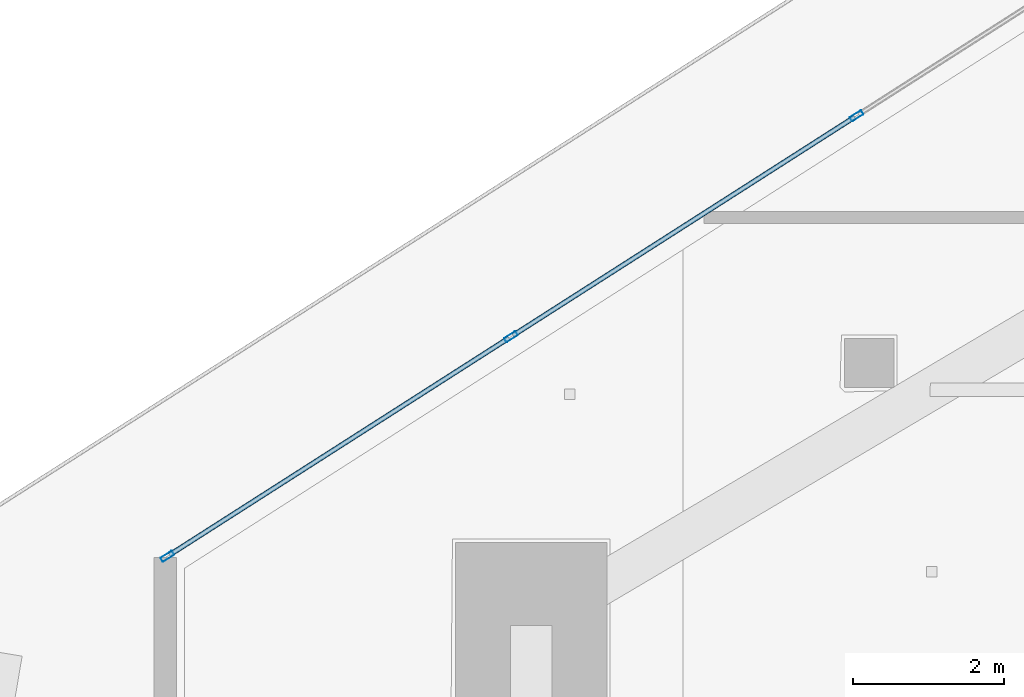
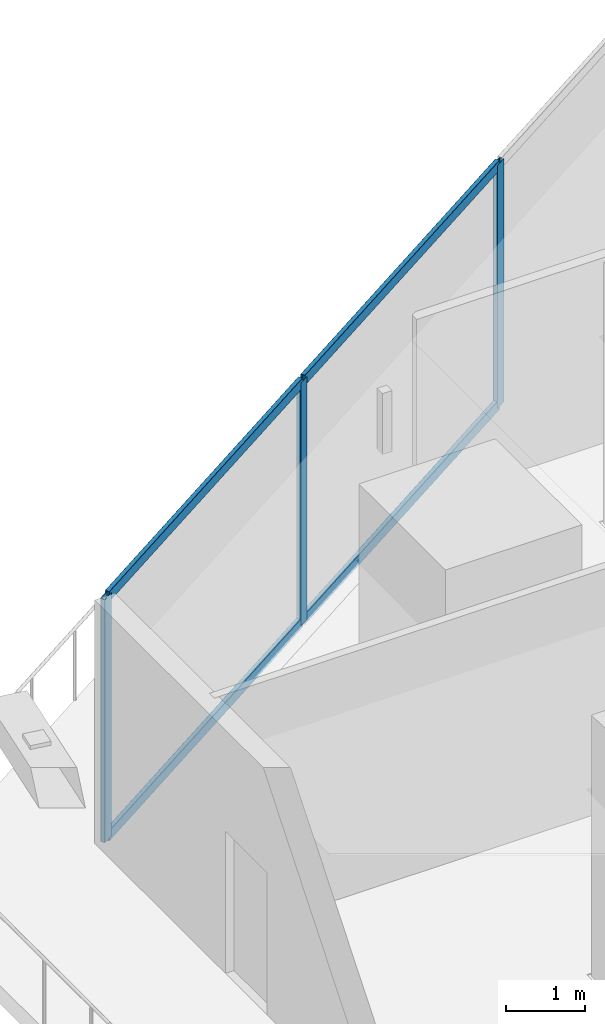
# One storey, part 13 of 42: 7 members, 1 element without a shape of its own.
"""IFC4 building model written with IfcOpenShell, lengths in metres."""

from ifc_helpers import new_model, si_unit, direction, frame, origin, origin_2d, place, context, subcontext, project, spatial, hollow_rectangle, extrude, material, layer, layer_set, material_profile, profile_set, type_object, element, aggregate, save


model = new_model("IFC4")

# Units and contexts
model_context = context("Model", 3, precision=1e-05, world=origin(), true_north=direction((0.0, 1.0)))
body_context = subcontext(model_context, "Body", "Model", "MODEL_VIEW")
ifc_project = project(units=[si_unit("LENGTHUNIT", "METRE"), si_unit("AREAUNIT", "SQUARE_METRE"), si_unit("VOLUMEUNIT", "CUBIC_METRE"), si_unit("PLANEANGLEUNIT", "RADIAN"), si_unit("MASSUNIT", "GRAM", prefix="KILO")], contexts=[model_context])

# Site, building, storey
site_placement = place(None, origin())
site = spatial("IfcSite", under=ifc_project, at=site_placement, CompositionType="ELEMENT")
building_placement = place(site_placement, origin())
building = spatial("IfcBuilding", under=site, at=building_placement, Name="Qorvath Tower", CompositionType="ELEMENT")
storey_placement = place(building_placement, frame((0.0, 0.0, 117.89990234375)))
storey = spatial("IfcBuildingStorey", under=building, at=storey_placement, Name="L26", CompositionType="ELEMENT", Elevation=117.89990234375)

# Curtain wall, members
ifc_material_1 = material(Name="Anodised aluminium and triple low-E glass", Category="aluminium")
ifc_layer = layer(ifc_material_1, 0.179931640625)
ifc_layer_set = layer_set([ifc_layer], Name="CW-SYS-2")
curtain_wall_type = type_object("IfcCurtainWallType", Name="CW-SYS-2", PredefinedType="NOTDEFINED", material=ifc_layer_set)
curtain_wall_placement = place(storey_placement, origin())
curtain_wall = element("IfcCurtainWall", 1, at=curtain_wall_placement, inside=storey, type_object=curtain_wall_type, Name="Curtain Wall CW-2 CW-T-L26-16.3", PredefinedType="NOTDEFINED")
ifc_material_2 = material(Name="Anodised aluminium 6063-T6", Category="aluminium")
ifc_material_profile_1 = material_profile(ifc_material_2, hollow_rectangle(XDim=0.06494140625, YDim=0.179931640625, WallThickness=0.00341796875, InnerFilletRadius=0.00341796875, OuterFilletRadius=0.007080078125, at=origin_2d()), Name="CWM 180x65")
ifc_profile_set_1 = profile_set([ifc_material_profile_1], Name="Anodised aluminium 6063-T6")
member_type_1 = type_object("IfcMemberType", Name="CWM-180", PredefinedType="MULLION", material=ifc_profile_set_1)
member_1_placement = place(storey_placement, frame((-48.7451171875, 9.69287109375, 0.0), z_axis=(0.0, 0.0, 1.0), x_axis=(0.538534177075, -0.842603667285, 0.0)))
member_1 = element("IfcMember", 2, at=member_1_placement, type_object=member_type_1, Name="CW-2 mullion 4", PredefinedType="MULLION", context=body_context, shape_type="SweptSolid", body=[
    extrude(hollow_rectangle(XDim=0.06494140625, YDim=0.179931640625, WallThickness=0.00341796875, InnerFilletRadius=0.00341796875, OuterFilletRadius=0.007080078125, at=origin_2d()), origin(), (0.0, 0.0, 1.0), 3.77001953125),
])
member_2_placement = place(storey_placement, frame((-53.317138671875, 6.770751953125, 0.0), z_axis=(0.0, 0.0, 1.0), x_axis=(0.538534177075, -0.842603667285, 0.0)))
member_2 = element("IfcMember", 3, at=member_2_placement, type_object=member_type_1, Name="CW-2 mullion 5", PredefinedType="MULLION", context=body_context, shape_type="SweptSolid", body=[
    extrude(hollow_rectangle(XDim=0.06494140625, YDim=0.179931640625, WallThickness=0.00341796875, InnerFilletRadius=0.00341796875, OuterFilletRadius=0.007080078125, at=origin_2d()), origin(), (0.0, 0.0, 1.0), 3.77001953125),
])
member_3_placement = place(storey_placement, frame((-57.86181640625, 3.8662109375, 0.0), z_axis=(0.0, 0.0, 1.0), x_axis=(0.538534177075, -0.842603667285, 0.0)))
member_3 = element("IfcMember", 4, at=member_3_placement, type_object=member_type_1, Name="CW-2 mullion 6", PredefinedType="MULLION", context=body_context, shape_type="SweptSolid", body=[
    extrude(hollow_rectangle(XDim=0.06494140625, YDim=0.179931640625, WallThickness=0.00341796875, InnerFilletRadius=0.00341796875, OuterFilletRadius=0.007080078125, at=origin_2d()), origin(), (0.0, 0.0, 1.0), 3.77001953125),
])
ifc_material_3 = material(Name="Anodised aluminium 6063-T6", Category="aluminium")
ifc_material_profile_2 = material_profile(ifc_material_3, hollow_rectangle(XDim=0.06494140625, YDim=0.159912109375, WallThickness=0.00341796875, InnerFilletRadius=0.00341796875, OuterFilletRadius=0.007080078125, at=origin_2d()), Name="CWT 160x65")
ifc_profile_set_2 = profile_set([ifc_material_profile_2], Name="Anodised aluminium 6063-T6")
member_type_2 = type_object("IfcMemberType", Name="CWT-160", PredefinedType="USERDEFINED", material=ifc_profile_set_2)
member_4_placement = place(storey_placement, frame((-48.7724609375, 9.67529296875, 0.032470703125), z_axis=(-0.842621067422, -0.538506951428, 0.0), x_axis=(0.538506951428, -0.842621067422, 0.0)))
member_4 = element("IfcMember", 5, at=member_4_placement, type_object=member_type_2, Name="CW-2 transom 4.1", ObjectType="TRANSOM", PredefinedType="USERDEFINED", context=body_context, shape_type="SweptSolid", body=[
    extrude(hollow_rectangle(XDim=0.06494140625, YDim=0.159912109375, WallThickness=0.00341796875, InnerFilletRadius=0.00341796875, OuterFilletRadius=0.007080078125, at=origin_2d()), origin(), (0.0, 0.0, 1.0), 5.361083984375),
])
member_5_placement = place(storey_placement, frame((-48.7724609375, 9.67529296875, 3.737548828125), z_axis=(-0.842621067422, -0.538506951428, 0.0), x_axis=(0.538506951428, -0.842621067422, 0.0)))
member_5 = element("IfcMember", 6, at=member_5_placement, type_object=member_type_2, Name="CW-2 transom 4.2", ObjectType="TRANSOM", PredefinedType="USERDEFINED", context=body_context, shape_type="SweptSolid", body=[
    extrude(hollow_rectangle(XDim=0.06494140625, YDim=0.159912109375, WallThickness=0.00341796875, InnerFilletRadius=0.00341796875, OuterFilletRadius=0.007080078125, at=origin_2d()), origin(), (0.0, 0.0, 1.0), 5.361083984375),
])
member_6_placement = place(storey_placement, frame((-53.344482421875, 6.753173828125, 0.032470703125), z_axis=(-0.842609059562, -0.538525740095, 0.0), x_axis=(0.538525740095, -0.842609059562, 0.0)))
member_6 = element("IfcMember", 7, at=member_6_placement, type_object=member_type_2, Name="CW-2 transom 5.1", ObjectType="TRANSOM", PredefinedType="USERDEFINED", context=body_context, shape_type="SweptSolid", body=[
    extrude(hollow_rectangle(XDim=0.06494140625, YDim=0.159912109375, WallThickness=0.00341796875, InnerFilletRadius=0.00341796875, OuterFilletRadius=0.007080078125, at=origin_2d()), origin(), (0.0, 0.0, 1.0), 5.32861328125),
])
member_7_placement = place(storey_placement, frame((-53.344482421875, 6.753173828125, 3.737548828125), z_axis=(-0.842609059562, -0.538525740095, 0.0), x_axis=(0.538525740095, -0.842609059562, 0.0)))
member_7 = element("IfcMember", 8, at=member_7_placement, type_object=member_type_2, Name="CW-2 transom 5.2", ObjectType="TRANSOM", PredefinedType="USERDEFINED", context=body_context, shape_type="SweptSolid", body=[
    extrude(hollow_rectangle(XDim=0.06494140625, YDim=0.159912109375, WallThickness=0.00341796875, InnerFilletRadius=0.00341796875, OuterFilletRadius=0.007080078125, at=origin_2d()), origin(), (0.0, 0.0, 1.0), 5.32861328125),
])
aggregate(curtain_wall, [member_1, member_2, member_3, member_4, member_5, member_6, member_7])

save(model, "model.ifc")
